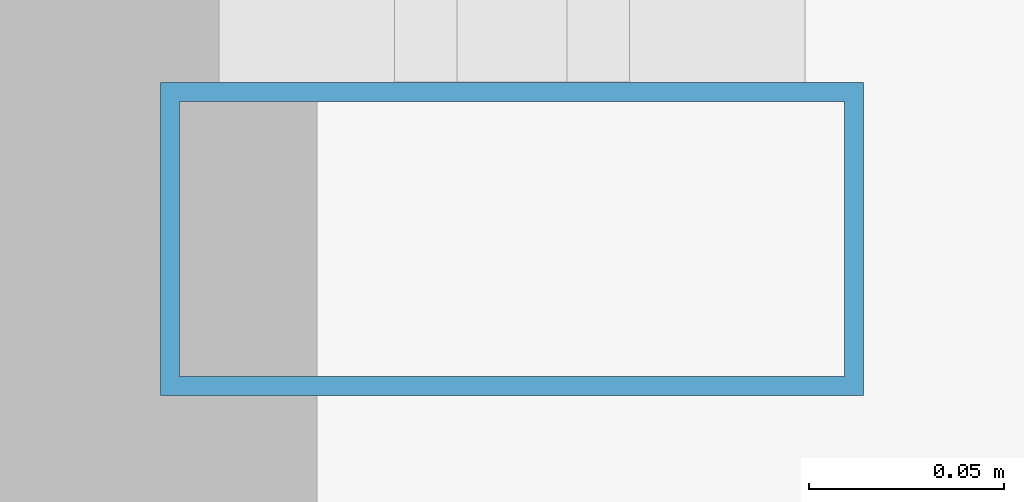
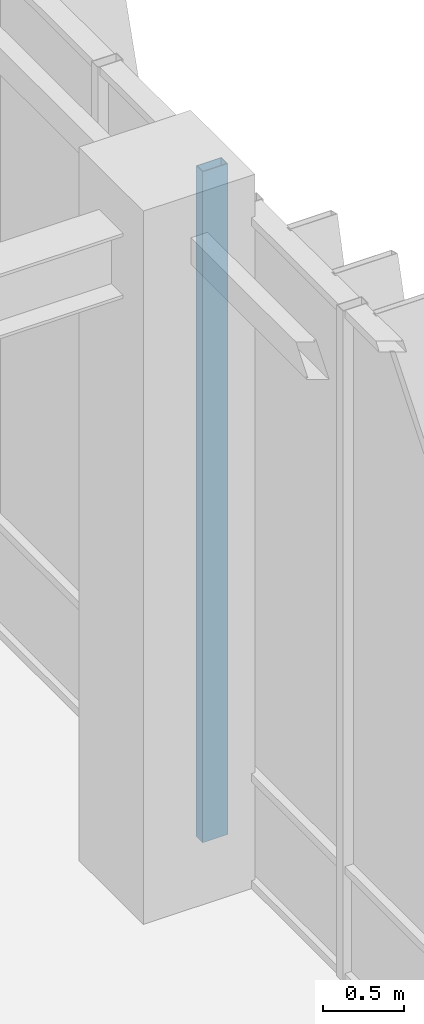
# One storey, part 63 of 139: 1 member, 1 element without a shape of its own.
"""IFC4 building model written with IfcOpenShell, lengths in metres."""

from ifc_helpers import new_model, si_unit, direction, frame, origin, origin_2d, place, context, subcontext, project, spatial, hollow_rectangle, extrude, material, layer, layer_set, material_profile, profile_set, type_object, element, aggregate, save


model = new_model("IFC4")

# Units and contexts
model_context = context("Model", 3, precision=1e-05, world=origin(), true_north=direction((0.0, 1.0)))
body_context = subcontext(model_context, "Body", "Model", "MODEL_VIEW")
ifc_project = project(units=[si_unit("LENGTHUNIT", "METRE"), si_unit("AREAUNIT", "SQUARE_METRE"), si_unit("VOLUMEUNIT", "CUBIC_METRE"), si_unit("PLANEANGLEUNIT", "RADIAN"), si_unit("MASSUNIT", "GRAM", prefix="KILO")], contexts=[model_context])

# Site, building, storey
site_placement = place(None, origin())
site = spatial("IfcSite", under=ifc_project, at=site_placement, CompositionType="ELEMENT")
building_placement = place(site_placement, origin())
building = spatial("IfcBuilding", under=site, at=building_placement, Name="Zayran Congress Hotel", CompositionType="ELEMENT")
storey_placement = place(building_placement, frame((0.0, 0.0, 5.39990234375)))
storey = spatial("IfcBuildingStorey", under=building, at=storey_placement, Name="L01", CompositionType="ELEMENT", Elevation=5.39990234375)

# Curtain wall, member
ifc_material_1 = material(Name="Anodised aluminium and low-E insulated glass", Category="aluminium")
ifc_layer = layer(ifc_material_1, 0.179931640625)
ifc_layer_set = layer_set([ifc_layer], Name="Anodised aluminium and low-E insulated glass")
curtain_wall_type = type_object("IfcCurtainWallType", Name="CW-V1E-L01-CW-41-8040-5080", PredefinedType="USERDEFINED", material=ifc_layer_set)
curtain_wall_placement = place(storey_placement, origin())
curtain_wall = element("IfcCurtainWall", 1, at=curtain_wall_placement, inside=storey, type_object=curtain_wall_type, Name="CW-V1E-L01-4", ObjectType="CURTAIN WALL", PredefinedType="USERDEFINED")
ifc_material_2 = material(Name="Anodised aluminium framing", Category="aluminium")
ifc_material_profile = material_profile(ifc_material_2, hollow_rectangle(XDim=0.080078125, YDim=0.179931640625, WallThickness=0.0048828125, at=origin_2d()), Name="RHS 180x80x5")
ifc_profile_set = profile_set([ifc_material_profile], Name="Anodised aluminium framing")
member_type = type_object("IfcMemberType", Name="TP-CWM-01", PredefinedType="MULLION", material=ifc_profile_set)
member_placement = place(storey_placement, frame((92.25, 101.419921875, 0.0), z_axis=(0.0, 0.0, 1.0), x_axis=(0.0, 1.0, 0.0)))
member = element("IfcMember", 2, at=member_placement, type_object=member_type, Name="CW-V1E-L01-4-M00", PredefinedType="MULLION", context=body_context, shape_type="SweptSolid", body=[
    extrude(hollow_rectangle(XDim=0.080078125, YDim=0.179931640625, WallThickness=0.0048828125, at=origin_2d()), origin(), (0.0, 0.0, 1.0), 5.080078125),
])
aggregate(curtain_wall, [member])

save(model, "model.ifc")
